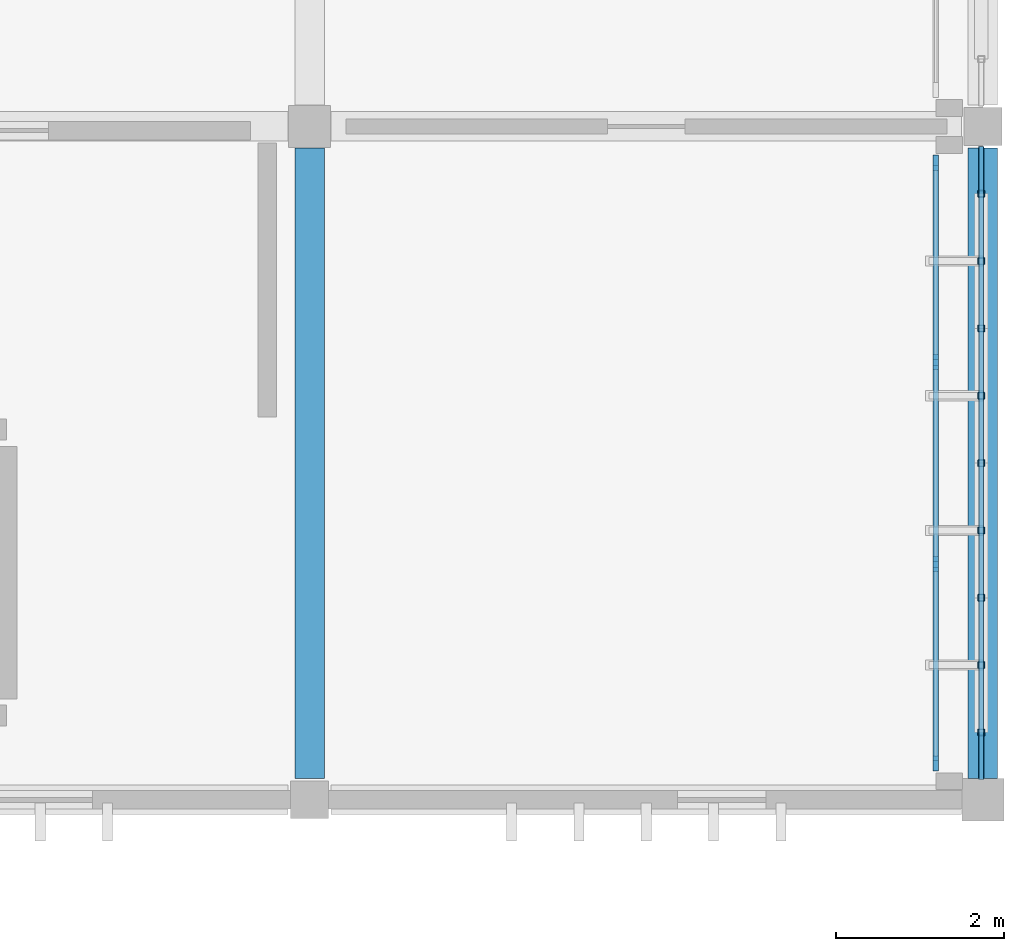
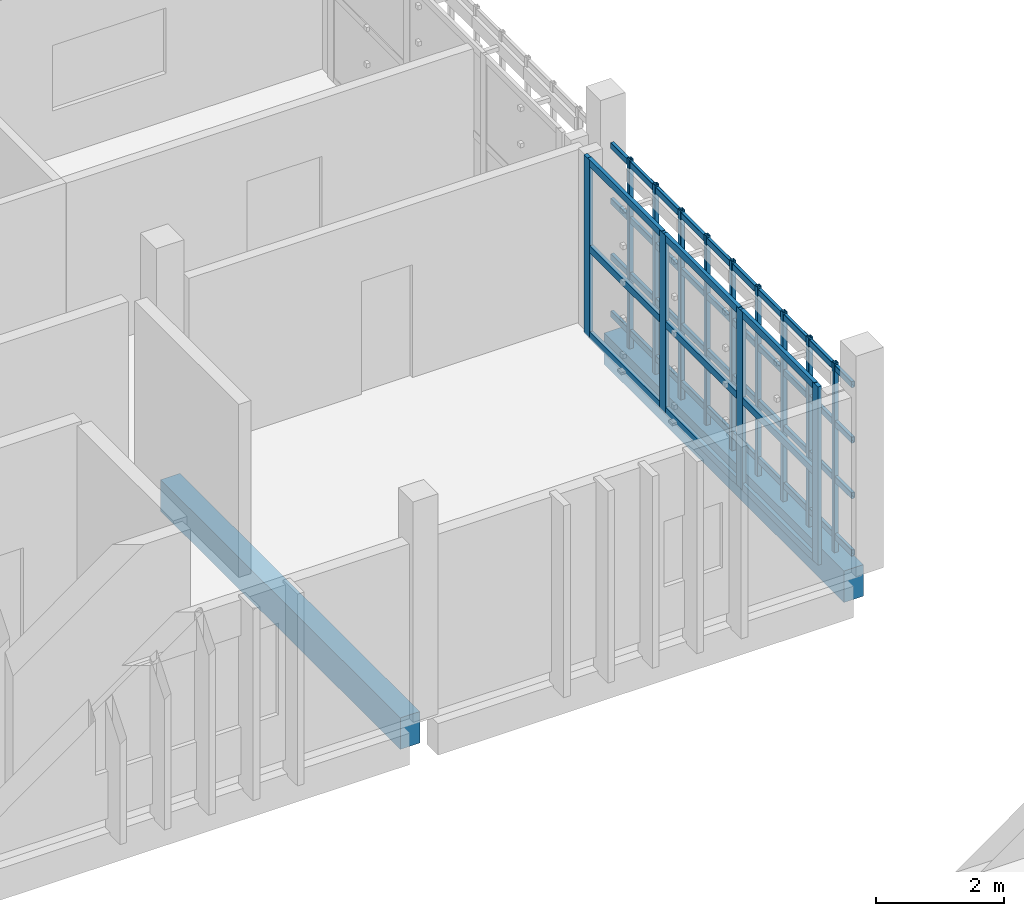
# One storey, part 6 of 16: 26 members, 2 beams, 1 element without a shape of its own.
"""IFC4 building model written with IfcOpenShell, lengths in metres."""

from ifc_helpers import new_model, si_unit, direction, frame, origin, origin_2d, place, context, subcontext, project, spatial, rectangle, hollow_rectangle, extrude, material, layer, layer_set, material_profile, profile_set, type_object, element, aggregate, save


model = new_model("IFC4")

# Units and contexts
model_context = context("Model", 3, precision=1e-05, world=origin(), true_north=direction((0.0, 1.0)))
body_context = subcontext(model_context, "Body", "Model", "MODEL_VIEW")
ifc_project = project(units=[si_unit("LENGTHUNIT", "METRE"), si_unit("AREAUNIT", "SQUARE_METRE"), si_unit("VOLUMEUNIT", "CUBIC_METRE"), si_unit("PLANEANGLEUNIT", "RADIAN"), si_unit("MASSUNIT", "GRAM", prefix="KILO")], contexts=[model_context])

# Site, building, storey
site_placement = place(None, origin())
site = spatial("IfcSite", under=ifc_project, at=site_placement, CompositionType="ELEMENT")
building_placement = place(site_placement, origin())
building = spatial("IfcBuilding", under=site, at=building_placement, Name="Jelvoka-Kovrelna Polytechnic", CompositionType="ELEMENT")
storey_placement = place(building_placement, frame((0.0, 0.0, 30.60009765625)))
storey = spatial("IfcBuildingStorey", under=building, at=storey_placement, Name="L08", CompositionType="ELEMENT", Elevation=30.60009765625)

# Beams
ifc_material_1 = material(Name="Concrete C35/45", Category="concrete")
ifc_material_profile_1 = material_profile(ifc_material_1, rectangle(XDim=0.35009765625, YDim=0.60009765625, at=origin_2d()), Name="RC 350x600")
ifc_profile_set_1 = profile_set([ifc_material_profile_1], Name="Concrete C35/45")
beam_type = type_object("IfcBeamType", Name="Beam_RC_350x600", PredefinedType="BEAM", material=ifc_profile_set_1)
for number, where, z_axis, x_axis, name in (
    (1, (176.0, 56.2548828125, -0.525146484375), (0.0, 1.0, 0.0), (-1.0, 0.0, 0.0), "L08 beam 1978"),
    (2, (184.0, 56.2548828125, -0.525146484375), (0.0, 1.0, 0.0), (-1.0, 0.0, 0.0), "L08 beam 1980"),
):
    element("IfcBeam", number, at=place(storey_placement, frame(where, z_axis=z_axis, x_axis=x_axis)), inside=storey, type_object=beam_type, Name=name, PredefinedType="BEAM", context=body_context, shape_type="SweptSolid", body=[
        extrude(rectangle(XDim=0.35009765625, YDim=0.60009765625, at=origin_2d()), origin(), (0.0, 0.0, 1.0), 7.490234375),
    ])

# Members
ifc_material_2 = material(Name="Structural steel S355J2H", Category="steel")
ifc_material_profile_2 = material_profile(ifc_material_2, hollow_rectangle(XDim=0.06005859375, YDim=0.1201171875, WallThickness=0.0048828125, InnerFilletRadius=0.0048828125, OuterFilletRadius=0.007568359375, at=origin_2d()), Name="120x60x5.0 RHS")
ifc_profile_set_2 = profile_set([ifc_material_profile_2], Name="Structural steel S355J2H")
member_type_1 = type_object("IfcMemberType", Name="Member_Strut_RHS120", PredefinedType="STRUT", material=ifc_profile_set_2)
for number, where, z_axis, x_axis, name in (
    (3, (183.97998046875, 56.239990234375, 0.079833984375), (0.0, 1.0, 0.0), (-1.0, 0.0, 0.0), "L08 terracotta screen horizontal strut 0846"),
    (4, (183.97998046875, 56.239990234375, 1.17138671875), (0.0, 1.0, 0.0), (-1.0, 0.0, 0.0), "L08 terracotta screen horizontal strut 0847"),
    (5, (183.97998046875, 56.239990234375, 2.230712890625), (0.0, 1.0, 0.0), (-1.0, 0.0, 0.0), "L08 terracotta screen horizontal strut 0848"),
    (6, (183.97998046875, 56.239990234375, 3.289794921875), (0.0, 1.0, 0.0), (-1.0, 0.0, 0.0), "L08 terracotta screen horizontal strut 0849"),
):
    element("IfcMember", number, at=place(storey_placement, frame(where, z_axis=z_axis, x_axis=x_axis)), inside=storey, type_object=member_type_1, Name=name, PredefinedType="STRUT", context=body_context, shape_type="SweptSolid", body=[
        extrude(hollow_rectangle(XDim=0.06005859375, YDim=0.1201171875, WallThickness=0.0048828125, InnerFilletRadius=0.0048828125, OuterFilletRadius=0.007568359375, at=origin_2d()), origin(), (0.0, 0.0, 1.0), 7.52001953125),
    ])
ifc_material_3 = material(Name="Structural steel S355J2H", Category="steel")
ifc_material_profile_3 = material_profile(ifc_material_3, hollow_rectangle(XDim=0.080078125, YDim=0.080078125, WallThickness=0.0048828125, InnerFilletRadius=0.0048828125, OuterFilletRadius=0.007568359375, at=origin_2d()), Name="80x80x5.0 SHS")
ifc_profile_set_3 = profile_set([ifc_material_profile_3], Name="Structural steel S355J2H")
member_type_2 = type_object("IfcMemberType", Name="Member_Strut_SHS80", PredefinedType="STRUT", material=ifc_profile_set_3)
for number, where, z_axis, x_axis, name in (
    (7, (183.97998046875, 56.800048828125, -0.22998046875), (0.0, 0.0, 1.0), (1.0, 0.0, 0.0), "L08 terracotta lattice vertical rib 0850"),
    (8, (183.97998046875, 57.60009765625, -0.22998046875), (0.0, 0.0, 1.0), (1.0, 0.0, 0.0), "L08 terracotta lattice vertical rib 0851"),
    (9, (183.97998046875, 58.39990234375, -0.22998046875), (0.0, 0.0, 1.0), (1.0, 0.0, 0.0), "L08 terracotta lattice vertical rib 0852"),
    (10, (183.97998046875, 59.199951171875, -0.22998046875), (0.0, 0.0, 1.0), (1.0, 0.0, 0.0), "L08 terracotta lattice vertical rib 0853"),
    (11, (183.97998046875, 60.0, -0.22998046875), (0.0, 0.0, 1.0), (1.0, 0.0, 0.0), "L08 terracotta lattice vertical rib 0854"),
    (12, (183.97998046875, 60.800048828125, -0.22998046875), (0.0, 0.0, 1.0), (1.0, 0.0, 0.0), "L08 terracotta lattice vertical rib 0855"),
    (13, (183.97998046875, 61.60009765625, -0.22998046875), (0.0, 0.0, 1.0), (1.0, 0.0, 0.0), "L08 terracotta lattice vertical rib 0856"),
    (14, (183.97998046875, 62.39990234375, -0.22998046875), (0.0, 0.0, 1.0), (1.0, 0.0, 0.0), "L08 terracotta lattice vertical rib 0857"),
    (15, (183.97998046875, 63.199951171875, -0.22998046875), (0.0, 0.0, 1.0), (1.0, 0.0, 0.0), "L08 terracotta lattice vertical rib 0858"),
):
    element("IfcMember", number, at=place(storey_placement, frame(where, z_axis=z_axis, x_axis=x_axis)), inside=storey, type_object=member_type_2, Name=name, PredefinedType="STRUT", context=body_context, shape_type="SweptSolid", body=[
        extrude(hollow_rectangle(XDim=0.080078125, YDim=0.080078125, WallThickness=0.0048828125, InnerFilletRadius=0.0048828125, OuterFilletRadius=0.007568359375, at=origin_2d()), origin(), (0.0, 0.0, 1.0), 3.60986328125),
    ])

# Curtain wall, members
ifc_material_4 = material(Name="Anodised aluminium 6063-T6", Category="aluminium")
ifc_layer = layer(ifc_material_4, 0.179931640625)
ifc_layer_set = layer_set([ifc_layer], Name="Anodised aluminium 6063-T6")
curtain_wall_type = type_object("IfcCurtainWallType", Name="CW_Recessed_B", PredefinedType="NOTDEFINED", material=ifc_layer_set)
curtain_wall_placement = place(storey_placement, origin())
curtain_wall = element("IfcCurtainWall", 16, at=curtain_wall_placement, inside=storey, type_object=curtain_wall_type, Name="L08 glazed curtain wall 098", PredefinedType="NOTDEFINED")
ifc_material_5 = material(Name="Anodised aluminium 6063-T6", Category="aluminium")
ifc_material_profile_4 = material_profile(ifc_material_5, rectangle(XDim=0.06494140625, YDim=0.179931640625, at=origin_2d()), Name="ALU 65x180")
ifc_profile_set_4 = profile_set([ifc_material_profile_4], Name="Anodised aluminium 6063-T6")
member_type_3 = type_object("IfcMemberType", Name="Mullion_M-02", PredefinedType="MULLION", material=ifc_profile_set_4)
member_1_placement = place(storey_placement, frame((183.43994140625, 63.5673828125, -0.02490234375), z_axis=(0.0, 0.0, 1.0), x_axis=(1.0, 0.0, 0.0)))
member_1 = element("IfcMember", 17, at=member_1_placement, type_object=member_type_3, Name="CW-02 mullion 1", PredefinedType="MULLION", context=body_context, shape_type="SweptSolid", body=[
    extrude(rectangle(XDim=0.06494140625, YDim=0.179931640625, at=origin_2d()), origin(), (0.0, 0.0, 1.0), 3.39990234375),
])
member_2_placement = place(storey_placement, frame((183.43994140625, 61.199951171875, -0.02490234375), z_axis=(0.0, 0.0, 1.0), x_axis=(1.0, 0.0, 0.0)))
member_2 = element("IfcMember", 18, at=member_2_placement, type_object=member_type_3, Name="CW-02 mullion 2", PredefinedType="MULLION", context=body_context, shape_type="SweptSolid", body=[
    extrude(rectangle(XDim=0.06494140625, YDim=0.179931640625, at=origin_2d()), origin(), (0.0, 0.0, 1.0), 3.39990234375),
])
member_3_placement = place(storey_placement, frame((183.43994140625, 58.800048828125, -0.02490234375), z_axis=(0.0, 0.0, 1.0), x_axis=(1.0, 0.0, 0.0)))
member_3 = element("IfcMember", 19, at=member_3_placement, type_object=member_type_3, Name="CW-02 mullion 3", PredefinedType="MULLION", context=body_context, shape_type="SweptSolid", body=[
    extrude(rectangle(XDim=0.06494140625, YDim=0.179931640625, at=origin_2d()), origin(), (0.0, 0.0, 1.0), 3.39990234375),
])
member_4_placement = place(storey_placement, frame((183.43994140625, 56.4326171875, -0.02490234375), z_axis=(0.0, 0.0, 1.0), x_axis=(1.0, 0.0, 0.0)))
member_4 = element("IfcMember", 20, at=member_4_placement, type_object=member_type_3, Name="CW-02 mullion 4", PredefinedType="MULLION", context=body_context, shape_type="SweptSolid", body=[
    extrude(rectangle(XDim=0.06494140625, YDim=0.179931640625, at=origin_2d()), origin(), (0.0, 0.0, 1.0), 3.39990234375),
])
ifc_material_6 = material(Name="Anodised aluminium 6063-T6", Category="aluminium")
ifc_material_profile_5 = material_profile(ifc_material_6, rectangle(XDim=0.06494140625, YDim=0.135009765625, at=origin_2d()), Name="ALU 65x135")
ifc_profile_set_5 = profile_set([ifc_material_profile_5], Name="Anodised aluminium 6063-T6")
member_type_4 = type_object("IfcMemberType", Name="Transom_T-02", PredefinedType="USERDEFINED", material=ifc_profile_set_5)
member_5_placement = place(storey_placement, frame((183.43994140625, 63.534912109375, 0.032470703125), z_axis=(0.0, -1.0, 0.0), x_axis=(1.0, 0.0, 0.0)))
member_5 = element("IfcMember", 21, at=member_5_placement, type_object=member_type_4, Name="CW-02 transom 1.1", ObjectType="TRANSOM", PredefinedType="USERDEFINED", context=body_context, shape_type="SweptSolid", body=[
    extrude(rectangle(XDim=0.06494140625, YDim=0.135009765625, at=origin_2d()), origin(), (0.0, 0.0, 1.0), 2.302490234375),
])
member_6_placement = place(storey_placement, frame((183.43994140625, 63.534912109375, 1.6748046875), z_axis=(0.0, -1.0, 0.0), x_axis=(1.0, 0.0, 0.0)))
member_6 = element("IfcMember", 22, at=member_6_placement, type_object=member_type_4, Name="CW-02 transom 1.2", ObjectType="TRANSOM", PredefinedType="USERDEFINED", context=body_context, shape_type="SweptSolid", body=[
    extrude(rectangle(XDim=0.06494140625, YDim=0.135009765625, at=origin_2d()), origin(), (0.0, 0.0, 1.0), 2.302490234375),
])
member_7_placement = place(storey_placement, frame((183.43994140625, 63.534912109375, 3.3173828125), z_axis=(0.0, -1.0, 0.0), x_axis=(1.0, 0.0, 0.0)))
member_7 = element("IfcMember", 23, at=member_7_placement, type_object=member_type_4, Name="CW-02 transom 1.3", ObjectType="TRANSOM", PredefinedType="USERDEFINED", context=body_context, shape_type="SweptSolid", body=[
    extrude(rectangle(XDim=0.06494140625, YDim=0.135009765625, at=origin_2d()), origin(), (0.0, 0.0, 1.0), 2.302490234375),
])
member_8_placement = place(storey_placement, frame((183.43994140625, 61.16748046875, 0.032470703125), z_axis=(0.0, -1.0, 0.0), x_axis=(1.0, 0.0, 0.0)))
member_8 = element("IfcMember", 24, at=member_8_placement, type_object=member_type_4, Name="CW-02 transom 2.1", ObjectType="TRANSOM", PredefinedType="USERDEFINED", context=body_context, shape_type="SweptSolid", body=[
    extrude(rectangle(XDim=0.06494140625, YDim=0.135009765625, at=origin_2d()), origin(), (0.0, 0.0, 1.0), 2.3349609375),
])
member_9_placement = place(storey_placement, frame((183.43994140625, 61.16748046875, 1.6748046875), z_axis=(0.0, -1.0, 0.0), x_axis=(1.0, 0.0, 0.0)))
member_9 = element("IfcMember", 25, at=member_9_placement, type_object=member_type_4, Name="CW-02 transom 2.2", ObjectType="TRANSOM", PredefinedType="USERDEFINED", context=body_context, shape_type="SweptSolid", body=[
    extrude(rectangle(XDim=0.06494140625, YDim=0.135009765625, at=origin_2d()), origin(), (0.0, 0.0, 1.0), 2.3349609375),
])
member_10_placement = place(storey_placement, frame((183.43994140625, 61.16748046875, 3.3173828125), z_axis=(0.0, -1.0, 0.0), x_axis=(1.0, 0.0, 0.0)))
member_10 = element("IfcMember", 26, at=member_10_placement, type_object=member_type_4, Name="CW-02 transom 2.3", ObjectType="TRANSOM", PredefinedType="USERDEFINED", context=body_context, shape_type="SweptSolid", body=[
    extrude(rectangle(XDim=0.06494140625, YDim=0.135009765625, at=origin_2d()), origin(), (0.0, 0.0, 1.0), 2.3349609375),
])
member_11_placement = place(storey_placement, frame((183.43994140625, 58.767578125, 0.032470703125), z_axis=(0.0, -1.0, 0.0), x_axis=(1.0, 0.0, 0.0)))
member_11 = element("IfcMember", 27, at=member_11_placement, type_object=member_type_4, Name="CW-02 transom 3.1", ObjectType="TRANSOM", PredefinedType="USERDEFINED", context=body_context, shape_type="SweptSolid", body=[
    extrude(rectangle(XDim=0.06494140625, YDim=0.135009765625, at=origin_2d()), origin(), (0.0, 0.0, 1.0), 2.302490234375),
])
member_12_placement = place(storey_placement, frame((183.43994140625, 58.767578125, 1.6748046875), z_axis=(0.0, -1.0, 0.0), x_axis=(1.0, 0.0, 0.0)))
member_12 = element("IfcMember", 28, at=member_12_placement, type_object=member_type_4, Name="CW-02 transom 3.2", ObjectType="TRANSOM", PredefinedType="USERDEFINED", context=body_context, shape_type="SweptSolid", body=[
    extrude(rectangle(XDim=0.06494140625, YDim=0.135009765625, at=origin_2d()), origin(), (0.0, 0.0, 1.0), 2.302490234375),
])
member_13_placement = place(storey_placement, frame((183.43994140625, 58.767578125, 3.3173828125), z_axis=(0.0, -1.0, 0.0), x_axis=(1.0, 0.0, 0.0)))
member_13 = element("IfcMember", 29, at=member_13_placement, type_object=member_type_4, Name="CW-02 transom 3.3", ObjectType="TRANSOM", PredefinedType="USERDEFINED", context=body_context, shape_type="SweptSolid", body=[
    extrude(rectangle(XDim=0.06494140625, YDim=0.135009765625, at=origin_2d()), origin(), (0.0, 0.0, 1.0), 2.302490234375),
])
aggregate(curtain_wall, [member_1, member_2, member_3, member_4, member_5, member_6, member_7, member_8, member_9, member_10, member_11, member_12, member_13])

save(model, "model.ifc")
